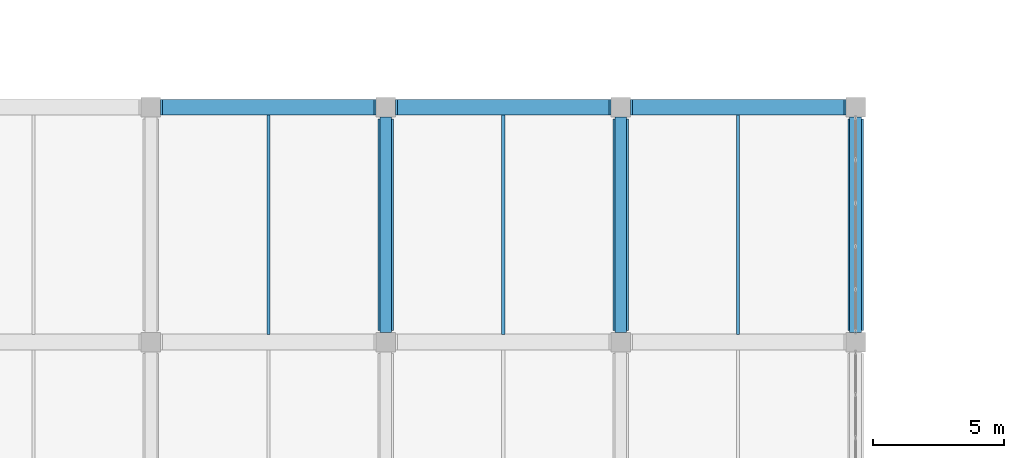
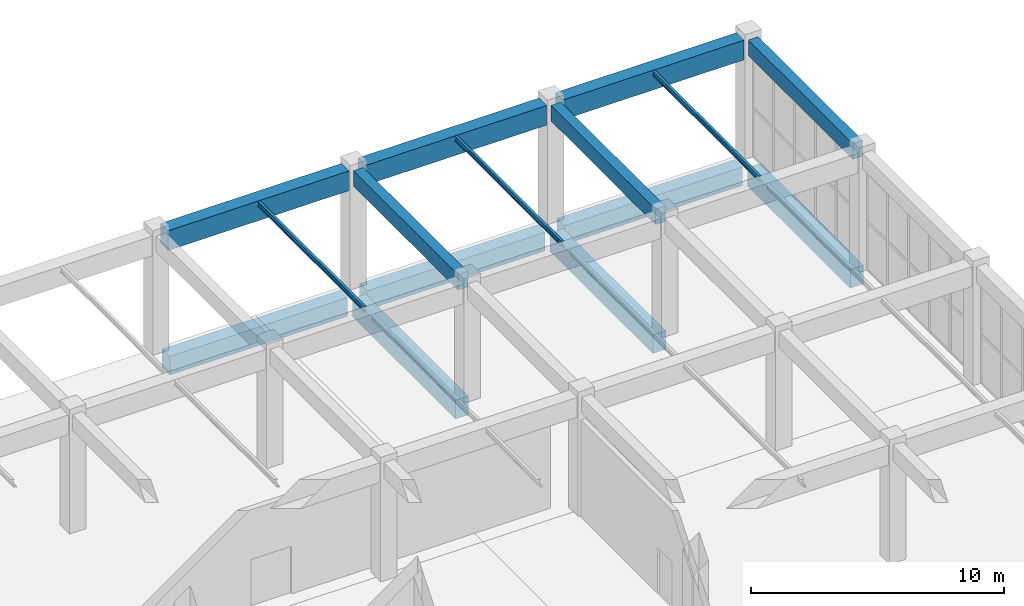
# One storey, part 51 of 91: 15 beams.
"""IFC4 building model written with IfcOpenShell, lengths in metres."""

from ifc_helpers import new_model, si_unit, direction, frame, origin, origin_2d, place, context, subcontext, project, spatial, rectangle, i_section, extrude, material, material_profile, profile_set, type_object, element, save


model = new_model("IFC4")

# Units and contexts
model_context = context("Model", 3, precision=1e-05, world=origin(), true_north=direction((0.0, 1.0)))
body_context = subcontext(model_context, "Body", "Model", "MODEL_VIEW")
ifc_project = project(units=[si_unit("LENGTHUNIT", "METRE"), si_unit("AREAUNIT", "SQUARE_METRE"), si_unit("VOLUMEUNIT", "CUBIC_METRE"), si_unit("PLANEANGLEUNIT", "RADIAN"), si_unit("MASSUNIT", "GRAM", prefix="KILO")], contexts=[model_context])

# Site, building, storey
site_placement = place(None, origin())
site = spatial("IfcSite", under=ifc_project, at=site_placement, CompositionType="ELEMENT")
building_placement = place(site_placement, origin())
building = spatial("IfcBuilding", under=site, at=building_placement, Name="Dornveld Trade and Exhibition Forum", CompositionType="ELEMENT")
storey_placement = place(building_placement, origin())
storey = spatial("IfcBuildingStorey", under=building, at=storey_placement, Name="L00", CompositionType="ELEMENT", Elevation=0.0)

# Beams
ifc_material_1 = material(Name="Concrete C40/50", Category="concrete")
ifc_material_profile_1 = material_profile(ifc_material_1, rectangle(XDim=0.60009765625, YDim=0.89990234375, at=origin_2d()), Name="RC-GB 600x900")
ifc_profile_set_1 = profile_set([ifc_material_profile_1], Name="Concrete C40/50")
beam_type_1 = type_object("IfcBeamType", Name="BM-GB-600x900", PredefinedType="BEAM", material=ifc_profile_set_1)
for number, where, z_axis, x_axis, name in (
    (1, (189.446044921875, 144.0, -0.830078125), (1.0, 0.0, 0.0), (0.0, 1.0, 0.0), "L00 X-girder 544"),
    (2, (198.446044921875, 144.0, -0.830078125), (1.0, 0.0, 0.0), (0.0, 1.0, 0.0), "L00 X-girder 545"),
    (3, (207.446044921875, 144.0, -0.830078125), (1.0, 0.0, 0.0), (0.0, 1.0, 0.0), "L00 X-girder 546"),
    (4, (198.0, 135.446044921875, -0.830078125), (0.0, 1.0, 0.0), (-1.0, 0.0, 0.0), "L00 Y-girder 558"),
    (5, (207.0, 135.446044921875, -0.830078125), (0.0, 1.0, 0.0), (-1.0, 0.0, 0.0), "L00 Y-girder 562"),
    (6, (216.0, 135.446044921875, -0.830078125), (0.0, 1.0, 0.0), (-1.0, 0.0, 0.0), "L00 Y-girder 566"),
):
    element("IfcBeam", number, at=place(storey_placement, frame(where, z_axis=z_axis, x_axis=x_axis)), inside=storey, type_object=beam_type_1, Name=name, PredefinedType="BEAM", context=body_context, shape_type="SweptSolid", body=[
        extrude(rectangle(XDim=0.60009765625, YDim=0.89990234375, at=origin_2d()), origin(), (0.0, 0.0, 1.0), 8.10791015625),
    ])
ifc_material_2 = material(Name="Steel S355J2", Category="steel")
ifc_material_profile_2 = material_profile(ifc_material_2, i_section(OverallWidth=0.1201171875, OverallDepth=0.239990234375, WebThickness=0.006103515625, FlangeThickness=0.009765625, FilletRadius=0.014892578125, at=origin_2d()), Name="IPE 240")
ifc_profile_set_2 = profile_set([ifc_material_profile_2], Name="Steel S355J2")
beam_type_2 = type_object("IfcBeamType", Name="BM-JOIST-240", PredefinedType="JOIST", material=ifc_profile_set_2)
for number, where, z_axis, x_axis, name in (
    (7, (193.5, 135.297119140625, 5.580078125), (0.0, 1.0, 0.0), (-1.0, 0.0, 0.0), "L00 secondary joist 1012"),
    (8, (202.5, 135.297119140625, 5.580078125), (0.0, 1.0, 0.0), (-1.0, 0.0, 0.0), "L00 secondary joist 1016"),
    (9, (211.5, 135.297119140625, 5.580078125), (0.0, 1.0, 0.0), (-1.0, 0.0, 0.0), "L00 secondary joist 1020"),
):
    element("IfcBeam", number, at=place(storey_placement, frame(where, z_axis=z_axis, x_axis=x_axis)), inside=storey, type_object=beam_type_2, Name=name, PredefinedType="JOIST", context=body_context, shape_type="SweptSolid", body=[
        extrude(i_section(OverallWidth=0.1201171875, OverallDepth=0.239990234375, WebThickness=0.006103515625, FlangeThickness=0.009765625, FilletRadius=0.014892578125, at=origin_2d()), origin(), (0.0, 0.0, 1.0), 8.40576171875),
    ])
ifc_material_3 = material(Name="Precast concrete C50/60", Category="concrete")
ifc_material_profile_3 = material_profile(ifc_material_3, rectangle(XDim=0.449951171875, YDim=0.75, at=origin_2d()), Name="PC-BM 450x750")
ifc_profile_set_3 = profile_set([ifc_material_profile_3], Name="Precast concrete C50/60")
beam_type_3 = type_object("IfcBeamType", Name="BM-PC-450x750", PredefinedType="BEAM", material=ifc_profile_set_3)
for number, where, z_axis, x_axis, name in (
    (10, (198.0, 135.37109375, 5.324951171875), (0.0, 1.0, 0.0), (-1.0, 0.0, 0.0), "L00 Y-girder 994"),
    (11, (207.0, 135.37109375, 5.324951171875), (0.0, 1.0, 0.0), (-1.0, 0.0, 0.0), "L00 Y-girder 998"),
    (12, (216.0, 135.37109375, 5.324951171875), (0.0, 1.0, 0.0), (-1.0, 0.0, 0.0), "L00 Y-girder 1002"),
):
    element("IfcBeam", number, at=place(storey_placement, frame(where, z_axis=z_axis, x_axis=x_axis)), inside=storey, type_object=beam_type_3, Name=name, PredefinedType="BEAM", context=body_context, shape_type="SweptSolid", body=[
        extrude(rectangle(XDim=0.449951171875, YDim=0.75, at=origin_2d()), origin(), (0.0, 0.0, 1.0), 8.2578125),
    ])
ifc_material_4 = material(Name="Precast concrete C50/60", Category="concrete")
ifc_material_profile_4 = material_profile(ifc_material_4, rectangle(XDim=0.60009765625, YDim=0.949951171875, at=origin_2d()), Name="PC-GIR 600x950")
ifc_profile_set_4 = profile_set([ifc_material_profile_4], Name="Precast concrete C50/60")
beam_type_4 = type_object("IfcBeamType", Name="BM-PC-600x950", PredefinedType="T_BEAM", material=ifc_profile_set_4)
for number, where, z_axis, x_axis, name in (
    (13, (189.37109375, 144.0, 5.22509765625), (1.0, 0.0, 0.0), (0.0, 1.0, 0.0), "L00 X-girder 976"),
    (14, (198.37109375, 144.0, 5.22509765625), (1.0, 0.0, 0.0), (0.0, 1.0, 0.0), "L00 X-girder 977"),
    (15, (207.37109375, 144.0, 5.22509765625), (1.0, 0.0, 0.0), (0.0, 1.0, 0.0), "L00 X-girder 978"),
):
    element("IfcBeam", number, at=place(storey_placement, frame(where, z_axis=z_axis, x_axis=x_axis)), inside=storey, type_object=beam_type_4, Name=name, PredefinedType="T_BEAM", context=body_context, shape_type="SweptSolid", body=[
        extrude(rectangle(XDim=0.60009765625, YDim=0.949951171875, at=origin_2d()), origin(), (0.0, 0.0, 1.0), 8.2578125),
    ])

save(model, "model.ifc")
